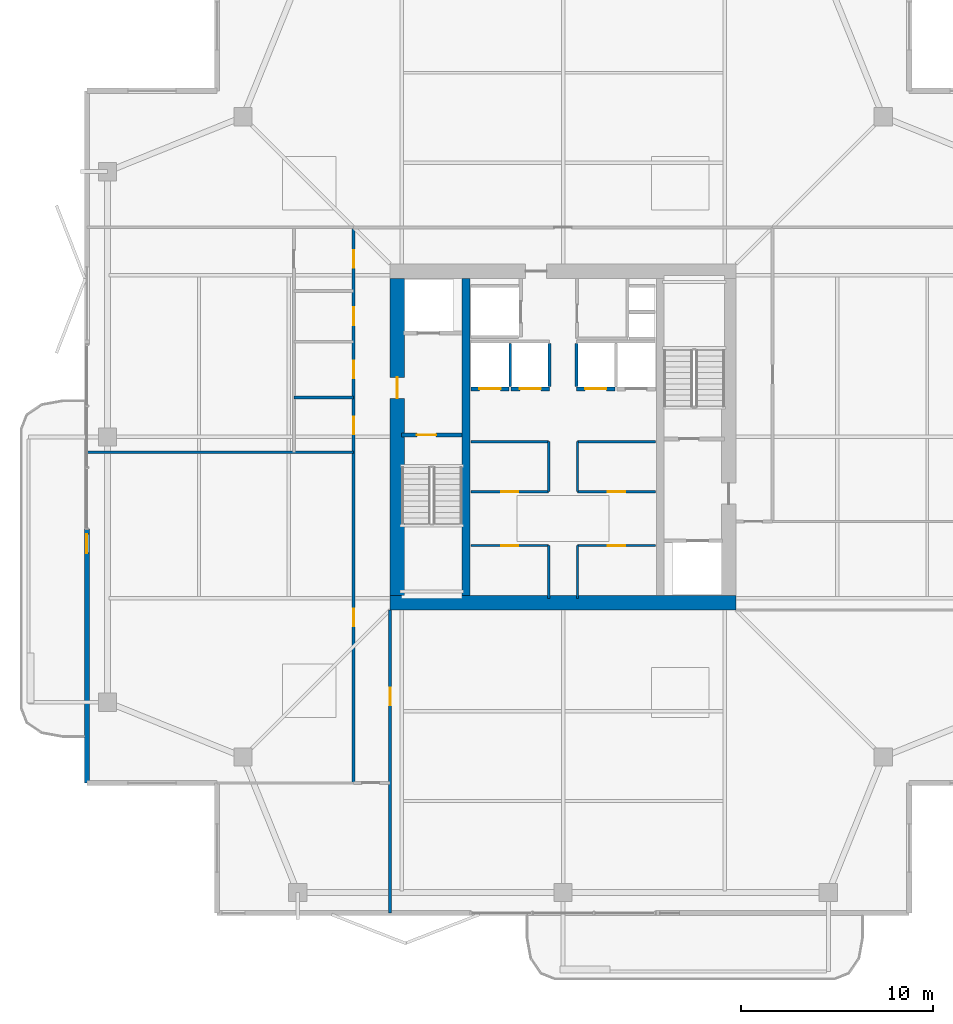
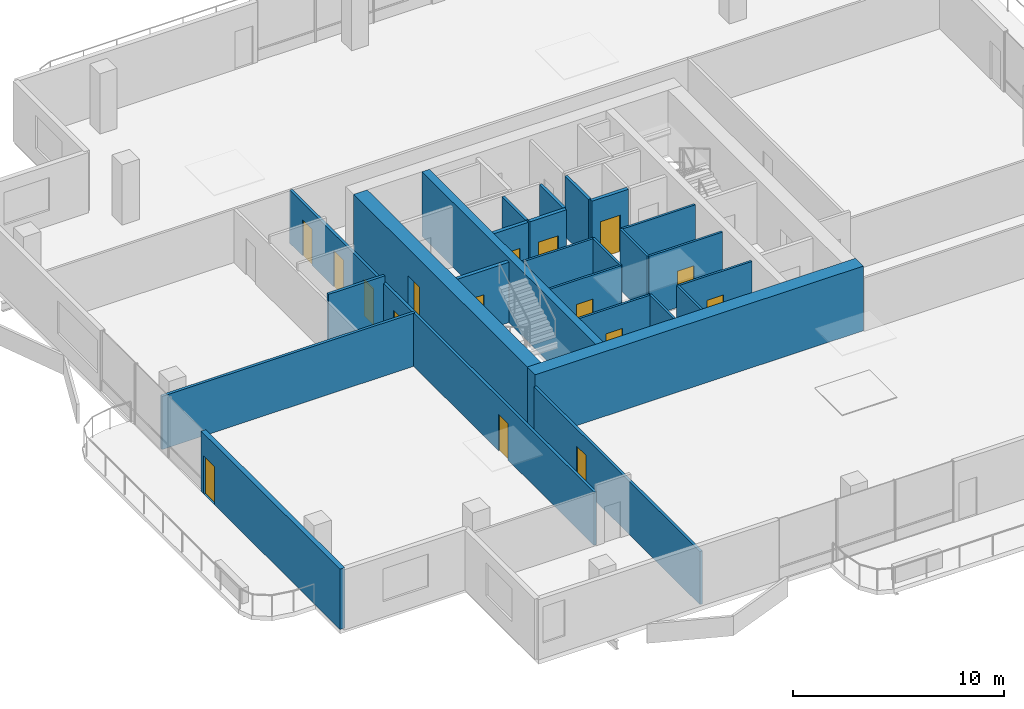
# One storey, part 18 of 24: 25 walls, 16 doors, 16 openings.
"""IFC4 building model written with IfcOpenShell, lengths in metres."""

from ifc_helpers import new_model, si_unit, direction, frame, frame_2d, origin, place, context, subcontext, project, spatial, rectangle, extrude, material, layer, layer_set, type_object, element, fill, save


model = new_model("IFC4")

# Units and contexts
model_context = context("Model", 3, precision=1e-05, world=origin(), true_north=direction((0.0, 1.0)))
body_context = subcontext(model_context, "Body", "Model", "MODEL_VIEW")
ifc_project = project(units=[si_unit("LENGTHUNIT", "METRE"), si_unit("AREAUNIT", "SQUARE_METRE"), si_unit("VOLUMEUNIT", "CUBIC_METRE"), si_unit("PLANEANGLEUNIT", "RADIAN"), si_unit("MASSUNIT", "GRAM", prefix="KILO")], contexts=[model_context])

# Site, building, storey
site_placement = place(None, origin())
site = spatial("IfcSite", under=ifc_project, at=site_placement, CompositionType="ELEMENT")
building_placement = place(site_placement, origin())
building = spatial("IfcBuilding", under=site, at=building_placement, Name="Belovzor Exchange Tower", CompositionType="ELEMENT")
storey_placement = place(building_placement, frame((0.0, 0.0, 261.60009765625)))
storey = spatial("IfcBuildingStorey", under=building, at=storey_placement, Name="L65", CompositionType="ELEMENT", Elevation=261.60009765625)

# Wall, opening, door
ifc_material_1 = material(Name="Fire-Rated Plasterboard on Galvanised Studs", Category="gypsum")
ifc_layer_1 = layer(ifc_material_1, 0.1201171875)
ifc_layer_set_1 = layer_set([ifc_layer_1], Name="Fire-Rated Plasterboard on Galvanised Studs")
wall_type_1 = type_object("IfcWallType", Name="Fire-Rated Double-Stud Partition Wall 120", PredefinedType="PARTITIONING", material=ifc_layer_set_1)
wall_1_placement = place(storey_placement, frame((24.0, 23.14990234375, 0.0), z_axis=(0.0, 0.0, 1.0), x_axis=(1.0, 0.0, 0.0)))
wall_1 = element("IfcWall", 1, at=wall_1_placement, inside=storey, type_object=wall_type_1, Name="W-P120F Partition Wall W-CRL-L65-WN", PredefinedType="PARTITIONING", context=body_context, shape_type="SweptSolid", body=[
    extrude(rectangle(XDim=4.050048828125, YDim=0.1201171875, at=frame_2d((2.02490234375, 0.0))), origin(), (0.0, 0.0, 1.0), 3.5),
])
opening_1_placement = place(wall_1_placement, frame((1.574951171875, 0.0, 0.0)))
opening_1 = element("IfcOpeningElement", 2, at=opening_1_placement, cuts=wall_1, Name="Opening D-FD60-090", PredefinedType="OPENING", context=body_context, shape_type="SweptSolid", body=[
    extrude(rectangle(XDim=0.89990234375, YDim=2.10009765625, at=frame_2d((0.449951171875, 1.050048828125))), frame((0.0, 0.070068359375, 0.0), z_axis=(0.0, -1.0, 0.0), x_axis=(1.0, 0.0, 0.0)), (0.0, 0.0, 1.0), 0.14013671875),
])
ifc_material_2 = material(Name="Acoustic Timber Fire Leaf", Category="wood")
door_type_1 = type_object("IfcDoorType", Name="Core Service & Restroom Fire Door 900x2100", OperationType="NOTDEFINED", PredefinedType="DOOR", material=ifc_material_2)
door_1_placement = place(opening_1_placement, origin())
door_1 = element("IfcDoor", 3, at=door_1_placement, inside=storey, type_object=door_type_1, Name="D-FD60-090 Core Service & Restroom Fire Door 900x2100", OperationType="SINGLE_SWING_LEFT", OverallHeight=2.10009765625, OverallWidth=0.89990234375, PredefinedType="DOOR", context=body_context, shape_type="SweptSolid", body=[
    extrude(rectangle(XDim=0.89990234375, YDim=2.10009765625, at=frame_2d((0.449951171875, 1.050048828125))), frame((0.0, 0.02490234375, 0.0), z_axis=(0.0, -1.0, 0.0), x_axis=(1.0, 0.0, 0.0)), (0.0, 0.0, 1.0), 0.050048828125),
])
fill(opening_1, door_1)

# Wall
wall_2_placement = place(storey_placement, frame((28.050048828125, 20.39990234375, 0.0), z_axis=(0.0, 0.0, 1.0), x_axis=(0.0, 1.0, 0.0)))
element("IfcWall", 4, at=wall_2_placement, inside=storey, type_object=wall_type_1, Name="W-P120F Partition Wall W-CRL-L65-WE", PredefinedType="PARTITIONING", context=body_context, shape_type="SweptSolid", body=[
    extrude(rectangle(XDim=2.75, YDim=0.1201171875, at=frame_2d((1.375, 0.0))), origin(), (0.0, 0.0, 1.0), 3.5),
])

# Wall, opening, door
wall_3_placement = place(storey_placement, frame((29.550048828125, 23.14990234375, 0.0), z_axis=(0.0, 0.0, 1.0), x_axis=(1.0, 0.0, 0.0)))
wall_3 = element("IfcWall", 5, at=wall_3_placement, inside=storey, type_object=wall_type_1, Name="W-P120F Partition Wall W-CRL-L65-EN", PredefinedType="PARTITIONING", context=body_context, shape_type="SweptSolid", body=[
    extrude(rectangle(XDim=4.050048828125, YDim=0.1201171875, at=frame_2d((2.02490234375, 0.0))), origin(), (0.0, 0.0, 1.0), 3.5),
])
opening_2_placement = place(wall_3_placement, frame((1.574951171875, 0.0, 0.0)))
opening_2 = element("IfcOpeningElement", 6, at=opening_2_placement, cuts=wall_3, Name="Opening D-FD60-090", PredefinedType="OPENING", context=body_context, shape_type="SweptSolid", body=[
    extrude(rectangle(XDim=0.89990234375, YDim=2.10009765625, at=frame_2d((0.449951171875, 1.050048828125))), frame((0.0, 0.070068359375, 0.0), z_axis=(0.0, -1.0, 0.0), x_axis=(1.0, 0.0, 0.0)), (0.0, 0.0, 1.0), 0.14013671875),
])
door_2_placement = place(opening_2_placement, origin())
door_2 = element("IfcDoor", 7, at=door_2_placement, inside=storey, type_object=door_type_1, Name="D-FD60-090 Core Service & Restroom Fire Door 900x2100", OperationType="SINGLE_SWING_RIGHT", OverallHeight=2.10009765625, OverallWidth=0.89990234375, PredefinedType="DOOR", context=body_context, shape_type="SweptSolid", body=[
    extrude(rectangle(XDim=0.89990234375, YDim=2.10009765625, at=frame_2d((0.449951171875, 1.050048828125))), frame((0.0, 0.02490234375, 0.0), z_axis=(0.0, -1.0, 0.0), x_axis=(1.0, 0.0, 0.0)), (0.0, 0.0, 1.0), 0.050048828125),
])
fill(opening_2, door_2)

# Wall
wall_4_placement = place(storey_placement, frame((29.550048828125, 20.39990234375, 0.0), z_axis=(0.0, 0.0, 1.0), x_axis=(0.0, 1.0, 0.0)))
element("IfcWall", 8, at=wall_4_placement, inside=storey, type_object=wall_type_1, Name="W-P120F Partition Wall W-CRL-L65-EW", PredefinedType="PARTITIONING", context=body_context, shape_type="SweptSolid", body=[
    extrude(rectangle(XDim=2.75, YDim=0.1201171875, at=frame_2d((1.375, 0.0))), origin(), (0.0, 0.0, 1.0), 3.5),
])

# Wall, opening, door
wall_5_placement = place(storey_placement, frame((24.0, 25.949951171875, 0.0), z_axis=(0.0, 0.0, 1.0), x_axis=(1.0, 0.0, 0.0)))
wall_5 = element("IfcWall", 9, at=wall_5_placement, inside=storey, type_object=wall_type_1, Name="W-P120F Partition Wall W-CRM-L65-WS", PredefinedType="PARTITIONING", context=body_context, shape_type="SweptSolid", body=[
    extrude(rectangle(XDim=4.050048828125, YDim=0.1201171875, at=frame_2d((2.02490234375, 0.0))), origin(), (0.0, 0.0, 1.0), 3.5),
])
opening_3_placement = place(wall_5_placement, frame((1.574951171875, 0.0, 0.0)))
opening_3 = element("IfcOpeningElement", 10, at=opening_3_placement, cuts=wall_5, Name="Opening D-FD60-090", PredefinedType="OPENING", context=body_context, shape_type="SweptSolid", body=[
    extrude(rectangle(XDim=0.89990234375, YDim=2.10009765625, at=frame_2d((0.449951171875, 1.050048828125))), frame((0.0, 0.070068359375, 0.0), z_axis=(0.0, -1.0, 0.0), x_axis=(1.0, 0.0, 0.0)), (0.0, 0.0, 1.0), 0.14013671875),
])
door_3_placement = place(opening_3_placement, origin())
door_3 = element("IfcDoor", 11, at=door_3_placement, inside=storey, type_object=door_type_1, Name="D-FD60-090 Core Service & Restroom Fire Door 900x2100", OperationType="SINGLE_SWING_LEFT", OverallHeight=2.10009765625, OverallWidth=0.89990234375, PredefinedType="DOOR", context=body_context, shape_type="SweptSolid", body=[
    extrude(rectangle(XDim=0.89990234375, YDim=2.10009765625, at=frame_2d((0.449951171875, 1.050048828125))), frame((0.0, 0.02490234375, 0.0), z_axis=(0.0, -1.0, 0.0), x_axis=(1.0, 0.0, 0.0)), (0.0, 0.0, 1.0), 0.050048828125),
])
fill(opening_3, door_3)

# Walls
wall_6_placement = place(storey_placement, frame((24.0, 28.550048828125, 0.0), z_axis=(0.0, 0.0, 1.0), x_axis=(1.0, 0.0, 0.0)))
element("IfcWall", 12, at=wall_6_placement, inside=storey, type_object=wall_type_1, Name="W-P120F Partition Wall W-CRM-L65-WN", PredefinedType="PARTITIONING", context=body_context, shape_type="SweptSolid", body=[
    extrude(rectangle(XDim=4.050048828125, YDim=0.1201171875, at=frame_2d((2.02490234375, 0.0))), origin(), (0.0, 0.0, 1.0), 3.5),
])
wall_7_placement = place(storey_placement, frame((28.050048828125, 25.949951171875, 0.0), z_axis=(0.0, 0.0, 1.0), x_axis=(0.0, 1.0, 0.0)))
element("IfcWall", 13, at=wall_7_placement, inside=storey, type_object=wall_type_1, Name="W-P120F Partition Wall W-CRM-L65-WE", PredefinedType="PARTITIONING", context=body_context, shape_type="SweptSolid", body=[
    extrude(rectangle(XDim=2.60009765625, YDim=0.1201171875, at=frame_2d((1.300048828125, 0.0))), origin(), (0.0, 0.0, 1.0), 3.5),
])

# Wall, opening, door
wall_8_placement = place(storey_placement, frame((29.550048828125, 25.949951171875, 0.0), z_axis=(0.0, 0.0, 1.0), x_axis=(1.0, 0.0, 0.0)))
wall_8 = element("IfcWall", 14, at=wall_8_placement, inside=storey, type_object=wall_type_1, Name="W-P120F Partition Wall W-CRM-L65-ES", PredefinedType="PARTITIONING", context=body_context, shape_type="SweptSolid", body=[
    extrude(rectangle(XDim=4.050048828125, YDim=0.1201171875, at=frame_2d((2.02490234375, 0.0))), origin(), (0.0, 0.0, 1.0), 3.5),
])
opening_4_placement = place(wall_8_placement, frame((1.574951171875, 0.0, 0.0)))
opening_4 = element("IfcOpeningElement", 15, at=opening_4_placement, cuts=wall_8, Name="Opening D-FD60-090", PredefinedType="OPENING", context=body_context, shape_type="SweptSolid", body=[
    extrude(rectangle(XDim=0.89990234375, YDim=2.10009765625, at=frame_2d((0.449951171875, 1.050048828125))), frame((0.0, 0.070068359375, 0.0), z_axis=(0.0, -1.0, 0.0), x_axis=(1.0, 0.0, 0.0)), (0.0, 0.0, 1.0), 0.14013671875),
])
door_4_placement = place(opening_4_placement, origin())
door_4 = element("IfcDoor", 16, at=door_4_placement, inside=storey, type_object=door_type_1, Name="D-FD60-090 Core Service & Restroom Fire Door 900x2100", OperationType="SINGLE_SWING_RIGHT", OverallHeight=2.10009765625, OverallWidth=0.89990234375, PredefinedType="DOOR", context=body_context, shape_type="SweptSolid", body=[
    extrude(rectangle(XDim=0.89990234375, YDim=2.10009765625, at=frame_2d((0.449951171875, 1.050048828125))), frame((0.0, 0.02490234375, 0.0), z_axis=(0.0, -1.0, 0.0), x_axis=(1.0, 0.0, 0.0)), (0.0, 0.0, 1.0), 0.050048828125),
])
fill(opening_4, door_4)

# Walls
wall_9_placement = place(storey_placement, frame((29.550048828125, 28.550048828125, 0.0), z_axis=(0.0, 0.0, 1.0), x_axis=(1.0, 0.0, 0.0)))
element("IfcWall", 17, at=wall_9_placement, inside=storey, type_object=wall_type_1, Name="W-P120F Partition Wall W-CRM-L65-EN", PredefinedType="PARTITIONING", context=body_context, shape_type="SweptSolid", body=[
    extrude(rectangle(XDim=4.050048828125, YDim=0.1201171875, at=frame_2d((2.02490234375, 0.0))), origin(), (0.0, 0.0, 1.0), 3.5),
])
wall_10_placement = place(storey_placement, frame((29.550048828125, 25.949951171875, 0.0), z_axis=(0.0, 0.0, 1.0), x_axis=(0.0, 1.0, 0.0)))
element("IfcWall", 18, at=wall_10_placement, inside=storey, type_object=wall_type_1, Name="W-P120F Partition Wall W-CRM-L65-EW", PredefinedType="PARTITIONING", context=body_context, shape_type="SweptSolid", body=[
    extrude(rectangle(XDim=2.60009765625, YDim=0.1201171875, at=frame_2d((1.300048828125, 0.0))), origin(), (0.0, 0.0, 1.0), 3.5),
])
ifc_material_3 = material(Name="Fire-Rated Gypsum Block and Mineral Wool", Category="gypsum")
ifc_layer_2 = layer(ifc_material_3, 0.14990234375)
ifc_layer_set_2 = layer_set([ifc_layer_2], Name="Fire-Rated Gypsum Block and Mineral Wool")
wall_type_2 = type_object("IfcWallType", Name="Fire-Rated Gypsum Block Corridor Wall 150", PredefinedType="PARTITIONING", material=ifc_layer_set_2)
wall_11_placement = place(storey_placement, frame((4.030029296875, 28.0, 0.0), z_axis=(0.0, 0.0, 1.0), x_axis=(1.0, 0.0, 0.0)))
element("IfcWall", 19, at=wall_11_placement, inside=storey, type_object=wall_type_2, Name="W-P150 Partition Wall W-L65-WCS", PredefinedType="PARTITIONING", context=body_context, shape_type="SweptSolid", body=[
    extrude(rectangle(XDim=13.869873046875, YDim=0.14990234375, at=frame_2d((6.93505859375, 0.0))), origin(), (0.0, 0.0, 1.0), 3.0849609375),
])
wall_12_placement = place(storey_placement, frame((14.800048828125, 30.85009765625, 0.0), z_axis=(0.0, 0.0, 1.0), x_axis=(1.0, 0.0, 0.0)))
element("IfcWall", 20, at=wall_12_placement, inside=storey, type_object=wall_type_2, Name="W-P150 Partition Wall W-L65-WCD1", PredefinedType="PARTITIONING", context=body_context, shape_type="SweptSolid", body=[
    extrude(rectangle(XDim=3.099853515625, YDim=0.14990234375, at=frame_2d((1.5498046875, 0.0))), origin(), (0.0, 0.0, 1.0), 3.5),
])

# Wall, opening, door
wall_13_placement = place(storey_placement, frame((19.800048828125, 4.030029296875, 0.0), z_axis=(0.0, 0.0, 1.0), x_axis=(0.0, 1.0, 0.0)))
wall_13 = element("IfcWall", 21, at=wall_13_placement, inside=storey, type_object=wall_type_2, Name="W-P150 Partition Wall W-L65-CW-E", PredefinedType="PARTITIONING", context=body_context, shape_type="SweptSolid", body=[
    extrude(rectangle(XDim=15.77001953125, YDim=0.14990234375, at=frame_2d((7.885009765625, 0.0))), origin(), (0.0, 0.0, 1.0), 3.0849609375),
])
opening_5_placement = place(wall_13_placement, frame((10.820068359375, 0.0, 0.0)))
opening_5 = element("IfcOpeningElement", 22, at=opening_5_placement, cuts=wall_13, Name="Opening D-FD60-090", PredefinedType="OPENING", context=body_context, shape_type="SweptSolid", body=[
    extrude(rectangle(XDim=0.89990234375, YDim=2.10009765625, at=frame_2d((0.449951171875, 1.050048828125))), frame((0.0, 0.0849609375, 0.0), z_axis=(0.0, -1.0, 0.0), x_axis=(1.0, 0.0, 0.0)), (0.0, 0.0, 1.0), 0.169921875),
])
door_5_placement = place(opening_5_placement, origin())
door_5 = element("IfcDoor", 23, at=door_5_placement, inside=storey, type_object=door_type_1, Name="D-FD60-090 Core Service & Restroom Fire Door 900x2100", OperationType="SINGLE_SWING_RIGHT", OverallHeight=2.10009765625, OverallWidth=0.89990234375, PredefinedType="DOOR", context=body_context, shape_type="SweptSolid", body=[
    extrude(rectangle(XDim=0.89990234375, YDim=2.10009765625, at=frame_2d((0.449951171875, 1.050048828125))), frame((0.0, 0.02490234375, 0.0), z_axis=(0.0, -1.0, 0.0), x_axis=(1.0, 0.0, 0.0)), (0.0, 0.0, 1.0), 0.050048828125),
])
fill(opening_5, door_5)

# Wall, openings, doors
wall_14_placement = place(storey_placement, frame((17.89990234375, 10.800048828125, 0.0), z_axis=(0.0, 0.0, 1.0), x_axis=(0.0, 1.0, 0.0)))
wall_14 = element("IfcWall", 24, at=wall_14_placement, inside=storey, type_object=wall_type_2, Name="W-P150 Partition Wall W-L65-CW", PredefinedType="PARTITIONING", context=body_context, shape_type="SweptSolid", body=[
    extrude(rectangle(XDim=28.89990234375, YDim=0.14990234375, at=frame_2d((14.449951171875, 0.0))), origin(), (0.0, 0.0, 1.0), 3.0849609375),
])
opening_6_placement = place(wall_14_placement, frame((8.14990234375, 0.0, 0.0)))
opening_6 = element("IfcOpeningElement", 25, at=opening_6_placement, cuts=wall_14, Name="Opening D-INT-090", PredefinedType="OPENING", context=body_context, shape_type="SweptSolid", body=[
    extrude(rectangle(XDim=0.89990234375, YDim=2.10009765625, at=frame_2d((0.449951171875, 1.050048828125))), frame((0.0, 0.0849609375, 0.0), z_axis=(0.0, -1.0, 0.0), x_axis=(1.0, 0.0, 0.0)), (0.0, 0.0, 1.0), 0.169921875),
])
opening_7_placement = place(wall_14_placement, frame((18.14990234375, 0.0, 0.0)))
opening_7 = element("IfcOpeningElement", 26, at=opening_7_placement, cuts=wall_14, Name="Opening D-FD60-090", PredefinedType="OPENING", context=body_context, shape_type="SweptSolid", body=[
    extrude(rectangle(XDim=0.89990234375, YDim=2.10009765625, at=frame_2d((0.449951171875, 1.050048828125))), frame((0.0, 0.0849609375, 0.0), z_axis=(0.0, -1.0, 0.0), x_axis=(1.0, 0.0, 0.0)), (0.0, 0.0, 1.0), 0.169921875),
])
opening_8_placement = place(wall_14_placement, frame((21.050048828125, 0.0, 0.0)))
opening_8 = element("IfcOpeningElement", 27, at=opening_8_placement, cuts=wall_14, Name="Opening D-FD60-090", PredefinedType="OPENING", context=body_context, shape_type="SweptSolid", body=[
    extrude(rectangle(XDim=0.89990234375, YDim=2.10009765625, at=frame_2d((0.449951171875, 1.050048828125))), frame((0.0, 0.0849609375, 0.0), z_axis=(0.0, -1.0, 0.0), x_axis=(1.0, 0.0, 0.0)), (0.0, 0.0, 1.0), 0.169921875),
])
opening_9_placement = place(wall_14_placement, frame((23.800048828125, 0.0, 0.0)))
opening_9 = element("IfcOpeningElement", 28, at=opening_9_placement, cuts=wall_14, Name="Opening D-FD60-095", PredefinedType="OPENING", context=body_context, shape_type="SweptSolid", body=[
    extrude(rectangle(XDim=0.949951171875, YDim=2.10009765625, at=frame_2d((0.47509765625, 1.050048828125))), frame((0.0, 0.0849609375, 0.0), z_axis=(0.0, -1.0, 0.0), x_axis=(1.0, 0.0, 0.0)), (0.0, 0.0, 1.0), 0.169921875),
])
opening_10_placement = place(wall_14_placement, frame((26.800048828125, 0.0, 0.0)))
opening_10 = element("IfcOpeningElement", 29, at=opening_10_placement, cuts=wall_14, Name="Opening D-FD60-090", PredefinedType="OPENING", context=body_context, shape_type="SweptSolid", body=[
    extrude(rectangle(XDim=0.89990234375, YDim=2.10009765625, at=frame_2d((0.449951171875, 1.050048828125))), frame((0.0, 0.0849609375, 0.0), z_axis=(0.0, -1.0, 0.0), x_axis=(1.0, 0.0, 0.0)), (0.0, 0.0, 1.0), 0.169921875),
])
ifc_material_4 = material(Name="Moisture-Resistant Timber Fire Leaf", Category="wood")
door_type_2 = type_object("IfcDoorType", Name="Accessible Restroom Wide Fire Door 950x2100", OperationType="NOTDEFINED", PredefinedType="DOOR", material=ifc_material_4)
door_6_placement = place(opening_9_placement, origin())
door_6 = element("IfcDoor", 30, at=door_6_placement, inside=storey, type_object=door_type_2, Name="D-FD60-095 Accessible Restroom Wide Fire Door 950x2100", OperationType="SINGLE_SWING_LEFT", OverallHeight=2.10009765625, OverallWidth=0.949951171875, PredefinedType="DOOR", context=body_context, shape_type="SweptSolid", body=[
    extrude(rectangle(XDim=0.949951171875, YDim=2.10009765625, at=frame_2d((0.47509765625, 1.050048828125))), frame((0.0, 0.02490234375, 0.0), z_axis=(0.0, -1.0, 0.0), x_axis=(1.0, 0.0, 0.0)), (0.0, 0.0, 1.0), 0.050048828125),
])
fill(opening_9, door_6)
door_7_placement = place(opening_7_placement, origin())
door_7 = element("IfcDoor", 31, at=door_7_placement, inside=storey, type_object=door_type_1, Name="D-FD60-090 Core Service & Restroom Fire Door 900x2100", OperationType="SINGLE_SWING_LEFT", OverallHeight=2.10009765625, OverallWidth=0.89990234375, PredefinedType="DOOR", context=body_context, shape_type="SweptSolid", body=[
    extrude(rectangle(XDim=0.89990234375, YDim=2.10009765625, at=frame_2d((0.449951171875, 1.050048828125))), frame((0.0, 0.02490234375, 0.0), z_axis=(0.0, -1.0, 0.0), x_axis=(1.0, 0.0, 0.0)), (0.0, 0.0, 1.0), 0.050048828125),
])
fill(opening_7, door_7)
door_8_placement = place(opening_8_placement, origin())
door_8 = element("IfcDoor", 32, at=door_8_placement, inside=storey, type_object=door_type_1, Name="D-FD60-090 Core Service & Restroom Fire Door 900x2100", OperationType="SINGLE_SWING_RIGHT", OverallHeight=2.10009765625, OverallWidth=0.89990234375, PredefinedType="DOOR", context=body_context, shape_type="SweptSolid", body=[
    extrude(rectangle(XDim=0.89990234375, YDim=2.10009765625, at=frame_2d((0.449951171875, 1.050048828125))), frame((0.0, 0.02490234375, 0.0), z_axis=(0.0, -1.0, 0.0), x_axis=(1.0, 0.0, 0.0)), (0.0, 0.0, 1.0), 0.050048828125),
])
fill(opening_8, door_8)
door_9_placement = place(opening_10_placement, origin())
door_9 = element("IfcDoor", 33, at=door_9_placement, inside=storey, type_object=door_type_1, Name="D-FD60-090 Core Service & Restroom Fire Door 900x2100", OperationType="SINGLE_SWING_LEFT", OverallHeight=2.10009765625, OverallWidth=0.89990234375, PredefinedType="DOOR", context=body_context, shape_type="SweptSolid", body=[
    extrude(rectangle(XDim=0.89990234375, YDim=2.10009765625, at=frame_2d((0.449951171875, 1.050048828125))), frame((0.0, 0.02490234375, 0.0), z_axis=(0.0, -1.0, 0.0), x_axis=(1.0, 0.0, 0.0)), (0.0, 0.0, 1.0), 0.050048828125),
])
fill(opening_10, door_9)
ifc_material_5 = material(Name="Veneered Hardwood Acoustic Leaf", Category="wood")
door_type_3 = type_object("IfcDoorType", Name="Trading Suite Acoustic Single Door 900x2100", OperationType="NOTDEFINED", PredefinedType="DOOR", material=ifc_material_5)
door_10_placement = place(opening_6_placement, origin())
door_10 = element("IfcDoor", 34, at=door_10_placement, inside=storey, type_object=door_type_3, Name="D-INT-090 Trading Suite Acoustic Single Door 900x2100", OperationType="SINGLE_SWING_RIGHT", OverallHeight=2.10009765625, OverallWidth=0.89990234375, PredefinedType="DOOR", context=body_context, shape_type="SweptSolid", body=[
    extrude(rectangle(XDim=0.89990234375, YDim=2.10009765625, at=frame_2d((0.449951171875, 1.050048828125))), frame((0.0, 0.02490234375, 0.0), z_axis=(0.0, -1.0, 0.0), x_axis=(1.0, 0.0, 0.0)), (0.0, 0.0, 1.0), 0.050048828125),
])
fill(opening_6, door_10)

# Wall, opening, door
ifc_material_6 = material(Name="Precast concrete C40/50", Category="concrete")
ifc_layer_3 = layer(ifc_material_6, 0.260009765625)
ifc_layer_set_3 = layer_set([ifc_layer_3], Name="Precast concrete C40/50")
wall_type_3 = type_object("IfcWallType", Name="Precast Concrete Perimeter Loggia Frame Wall 260", PredefinedType="SOLIDWALL", material=ifc_layer_set_3)
wall_15_placement = place(storey_placement, frame((4.030029296875, 10.800048828125, 0.0), z_axis=(0.0, 0.0, 1.0), x_axis=(0.0, 1.0, 0.0)))
wall_15 = element("IfcWall", 35, at=wall_15_placement, inside=storey, type_object=wall_type_3, Name="W-EXT260 Precast Concrete Perimeter Loggia Frame Wall 260 L65", PredefinedType="SOLIDWALL", context=body_context, shape_type="SweptSolid", body=[
    extrude(rectangle(XDim=13.199951171875, YDim=0.260009765625, at=frame_2d((6.60009765625, 0.0))), origin(), (0.0, 0.0, 1.0), 3.5),
])
opening_11_placement = place(wall_15_placement, frame((11.949951171875, 0.0, 0.0)))
opening_11 = element("IfcOpeningElement", 36, at=opening_11_placement, cuts=wall_15, Name="Opening D-BAL100", PredefinedType="OPENING", context=body_context, shape_type="SweptSolid", body=[
    extrude(rectangle(XDim=1.0, YDim=2.199951171875, at=frame_2d((0.5, 1.10009765625))), frame((0.0, 0.139892578125, 0.0), z_axis=(0.0, -1.0, 0.0), x_axis=(1.0, 0.0, 0.0)), (0.0, 0.0, 1.0), 0.280029296875),
])
ifc_material_7 = material(Name="Thermally Broken Anodised Aluminium and Laminated Glass", Category="aluminium")
door_type_4 = type_object("IfcDoorType", Name="Planted Loggia Terrace Glazed Door 1000x2200", OperationType="SINGLE_SWING_LEFT", PredefinedType="DOOR", material=ifc_material_7)
door_11_placement = place(opening_11_placement, origin())
door_11 = element("IfcDoor", 37, at=door_11_placement, inside=storey, type_object=door_type_4, Name="D-BAL100 Balcony Terrace Door L65 W", OperationType="SINGLE_SWING_RIGHT", OverallHeight=2.199951171875, OverallWidth=1.0, PredefinedType="DOOR", context=body_context, shape_type="SweptSolid", body=[
    extrude(rectangle(XDim=1.0, YDim=2.199951171875, at=frame_2d((0.5, 1.10009765625))), frame((0.0, 0.02490234375, 0.0), z_axis=(0.0, -1.0, 0.0), x_axis=(1.0, 0.0, 0.0)), (0.0, 0.0, 1.0), 0.050048828125),
])
fill(opening_11, door_11)

# Walls
ifc_material_8 = material(Name="Concrete C50/60", Category="concrete")
ifc_layer_4 = layer(ifc_material_8, 0.39990234375)
ifc_layer_set_4 = layer_set([ifc_layer_4], Name="Concrete C50/60")
wall_type_4 = type_object("IfcWallType", Name="Reinforced Concrete Core Internal Web Wall 400", PredefinedType="SHEAR", material=ifc_layer_set_4)
wall_16_placement = place(storey_placement, frame((23.75, 20.550048828125, 0.0), z_axis=(0.0, 0.0, 1.0), x_axis=(0.0, 1.0, 0.0)))
element("IfcWall", 38, at=wall_16_placement, inside=storey, type_object=wall_type_4, Name="CW-W040 Core Internal Web Wall L65 WL", PredefinedType="SHEAR", context=body_context, shape_type="SweptSolid", body=[
    extrude(rectangle(XDim=16.5, YDim=0.39990234375, at=frame_2d((8.25, 0.0))), origin(), (0.0, 0.0, 1.0), 3.75),
])
ifc_material_9 = material(Name="Concrete C50/60", Category="concrete")
ifc_layer_5 = layer(ifc_material_9, 0.14990234375)
ifc_layer_set_5 = layer_set([ifc_layer_5], Name="Concrete C50/60")
wall_type_5 = type_object("IfcWallType", Name="Reinforced Concrete Core Riser Shear Wall 150", PredefinedType="SHEAR", material=ifc_layer_set_5)
for number, where, z_axis, x_axis, name in (
    (39, (26.050048828125, 31.419921875, 0.0), (0.0, 0.0, 1.0), (0.0, 1.0, 0.0), "W-C150S Core Shaft Wall W-SHD-L65-PLH-1"),
    (40, (28.10009765625, 31.419921875, 0.0), (0.0, 0.0, 1.0), (0.0, 1.0, 0.0), "W-C150S Core Shaft Wall W-SHD-L65-PLH-2"),
    (41, (29.5, 31.419921875, 0.0), (0.0, 0.0, 1.0), (0.0, 1.0, 0.0), "W-C150S Core Shaft Wall W-SHD-L65-PLH-3"),
):
    element("IfcWall", number, at=place(storey_placement, frame(where, z_axis=z_axis, x_axis=x_axis)), inside=storey, type_object=wall_type_5, Name=name, PredefinedType="SHEAR", context=body_context, shape_type="SweptSolid", body=[
        extrude(rectangle(XDim=2.239990234375, YDim=0.14990234375, at=frame_2d((1.1201171875, 0.0))), origin(), (0.0, 0.0, 1.0), 3.5),
    ])

# Wall, opening, door
ifc_material_10 = material(Name="Concrete C50/60", Category="concrete")
ifc_layer_6 = layer(ifc_material_10, 0.199951171875)
ifc_layer_set_6 = layer_set([ifc_layer_6], Name="Concrete C50/60")
wall_type_6 = type_object("IfcWallType", Name="Reinforced Concrete Core Shaft Shear Wall 200", PredefinedType="SHEAR", material=ifc_layer_set_6)
wall_17_placement = place(storey_placement, frame((20.39990234375, 28.89990234375, 0.0), z_axis=(0.0, 0.0, 1.0), x_axis=(1.0, 0.0, 0.0)))
wall_17 = element("IfcWall", 42, at=wall_17_placement, inside=storey, type_object=wall_type_6, Name="W-C200S Core Shaft Wall W-CORE-L65-FFLW1", PredefinedType="SHEAR", context=body_context, shape_type="SweptSolid", body=[
    extrude(rectangle(XDim=3.150146484375, YDim=0.199951171875, at=frame_2d((1.5751953125, 0.0))), origin(), (0.0, 0.0, 1.0), 3.5),
])
opening_12_placement = place(wall_17_placement, frame((0.800048828125, 0.0, 0.0)))
opening_12 = element("IfcOpeningElement", 43, at=opening_12_placement, cuts=wall_17, Name="Opening D-FD90-100", PredefinedType="OPENING", context=body_context, shape_type="SweptSolid", body=[
    extrude(rectangle(XDim=1.0, YDim=2.10009765625, at=frame_2d((0.5, 1.050048828125))), frame((0.0, 0.10986328125, 0.0), z_axis=(0.0, -1.0, 0.0), x_axis=(1.0, 0.0, 0.0)), (0.0, 0.0, 1.0), 0.219970703125),
])
ifc_material_11 = material(Name="Fire-Rated Galvanised Steel Leaf", Category="steel")
door_type_5 = type_object("IfcDoorType", Name="Protected Stairwell Single Fire Door 1000x2100", OperationType="NOTDEFINED", PredefinedType="DOOR", material=ifc_material_11)
door_12_placement = place(opening_12_placement, origin())
door_12 = element("IfcDoor", 44, at=door_12_placement, inside=storey, type_object=door_type_5, Name="D-FD90-100 Protected Stairwell Single Fire Door 1000x2100", OperationType="SINGLE_SWING_RIGHT", OverallHeight=2.10009765625, OverallWidth=1.0, PredefinedType="DOOR", context=body_context, shape_type="SweptSolid", body=[
    extrude(rectangle(XDim=1.0, YDim=2.10009765625, at=frame_2d((0.5, 1.050048828125))), frame((0.0, 0.02490234375, 0.0), z_axis=(0.0, -1.0, 0.0), x_axis=(1.0, 0.0, 0.0)), (0.0, 0.0, 1.0), 0.050048828125),
])
fill(opening_12, door_12)

wall_18_placement = place(storey_placement, frame((24.0, 31.300048828125, 0.0), z_axis=(0.0, 0.0, 1.0), x_axis=(1.0, 0.0, 0.0)))
wall_18 = element("IfcWall", 45, at=wall_18_placement, inside=storey, type_object=wall_type_6, Name="W-C200S Core Shaft Wall W-SH-L65-PL-H1", PredefinedType="SHEAR", context=body_context, shape_type="SweptSolid", body=[
    extrude(rectangle(XDim=2.0, YDim=0.199951171875, at=frame_2d((1.0, 0.0))), origin(), (0.0, 0.0, 1.0), 3.5),
])
opening_13_placement = place(wall_18_placement, frame((0.449951171875, 0.0, 0.0)))
opening_13 = element("IfcOpeningElement", 46, at=opening_13_placement, cuts=wall_18, Name="Opening LD-110", PredefinedType="OPENING", context=body_context, shape_type="SweptSolid", body=[
    extrude(rectangle(XDim=1.10009765625, YDim=2.14990234375, at=frame_2d((0.550048828125, 1.074951171875))), frame((0.0, 0.10986328125, 0.0), z_axis=(0.0, -1.0, 0.0), x_axis=(1.0, 0.0, 0.0)), (0.0, 0.0, 1.0), 0.219970703125),
])
ifc_material_12 = material(Name="Stainless Steel Grade 304", Category="steel")
door_type_6 = type_object("IfcDoorType", Name="Automated Stainless Steel Lift Landing Door 1100x2150", OperationType="SLIDING_TO_RIGHT", PredefinedType="DOOR", material=ifc_material_12)
door_13_placement = place(opening_13_placement, origin())
door_13 = element("IfcDoor", 47, at=door_13_placement, inside=storey, type_object=door_type_6, Name="LD-110 Automated Stainless Steel Lift Landing Door 1100x2150", OperationType="SLIDING_TO_RIGHT", OverallHeight=2.14990234375, OverallWidth=1.10009765625, PredefinedType="DOOR", context=body_context, shape_type="SweptSolid", body=[
    extrude(rectangle(XDim=1.10009765625, YDim=2.14990234375, at=frame_2d((0.550048828125, 1.074951171875))), frame((0.0, 0.02490234375, 0.0), z_axis=(0.0, -1.0, 0.0), x_axis=(1.0, 0.0, 0.0)), (0.0, 0.0, 1.0), 0.050048828125),
])
fill(opening_13, door_13)

wall_19_placement = place(storey_placement, frame((26.10009765625, 31.300048828125, 0.0), z_axis=(0.0, 0.0, 1.0), x_axis=(1.0, 0.0, 0.0)))
wall_19 = element("IfcWall", 48, at=wall_19_placement, inside=storey, type_object=wall_type_6, Name="W-C200S Core Shaft Wall W-SH-L65-PL-H2", PredefinedType="SHEAR", context=body_context, shape_type="SweptSolid", body=[
    extrude(rectangle(XDim=2.0, YDim=0.199951171875, at=frame_2d((1.0, 0.0))), origin(), (0.0, 0.0, 1.0), 3.5),
])
opening_14_placement = place(wall_19_placement, frame((0.449951171875, 0.0, 0.0)))
opening_14 = element("IfcOpeningElement", 49, at=opening_14_placement, cuts=wall_19, Name="Opening LD-110", PredefinedType="OPENING", context=body_context, shape_type="SweptSolid", body=[
    extrude(rectangle(XDim=1.10009765625, YDim=2.14990234375, at=frame_2d((0.550048828125, 1.074951171875))), frame((0.0, 0.10986328125, 0.0), z_axis=(0.0, -1.0, 0.0), x_axis=(1.0, 0.0, 0.0)), (0.0, 0.0, 1.0), 0.219970703125),
])
door_14_placement = place(opening_14_placement, origin())
door_14 = element("IfcDoor", 50, at=door_14_placement, inside=storey, type_object=door_type_6, Name="LD-110 Automated Stainless Steel Lift Landing Door 1100x2150", OperationType="SLIDING_TO_RIGHT", OverallHeight=2.14990234375, OverallWidth=1.10009765625, PredefinedType="DOOR", context=body_context, shape_type="SweptSolid", body=[
    extrude(rectangle(XDim=1.10009765625, YDim=2.14990234375, at=frame_2d((0.550048828125, 1.074951171875))), frame((0.0, 0.02490234375, 0.0), z_axis=(0.0, -1.0, 0.0), x_axis=(1.0, 0.0, 0.0)), (0.0, 0.0, 1.0), 0.050048828125),
])
fill(opening_14, door_14)

wall_20_placement = place(storey_placement, frame((29.5, 31.300048828125, 0.0), z_axis=(0.0, 0.0, 1.0), x_axis=(1.0, 0.0, 0.0)))
wall_20 = element("IfcWall", 51, at=wall_20_placement, inside=storey, type_object=wall_type_6, Name="W-C200S Core Shaft Wall W-SH-L65-PL-H3", PredefinedType="SHEAR", context=body_context, shape_type="SweptSolid", body=[
    extrude(rectangle(XDim=2.0, YDim=0.199951171875, at=frame_2d((1.0, 0.0))), origin(), (0.0, 0.0, 1.0), 3.5),
])
opening_15_placement = place(wall_20_placement, frame((0.449951171875, 0.0, 0.0)))
opening_15 = element("IfcOpeningElement", 52, at=opening_15_placement, cuts=wall_20, Name="Opening LD-110", PredefinedType="OPENING", context=body_context, shape_type="SweptSolid", body=[
    extrude(rectangle(XDim=1.10009765625, YDim=2.14990234375, at=frame_2d((0.550048828125, 1.074951171875))), frame((0.0, 0.10986328125, 0.0), z_axis=(0.0, -1.0, 0.0), x_axis=(1.0, 0.0, 0.0)), (0.0, 0.0, 1.0), 0.219970703125),
])
door_15_placement = place(opening_15_placement, origin())
door_15 = element("IfcDoor", 53, at=door_15_placement, inside=storey, type_object=door_type_6, Name="LD-110 Automated Stainless Steel Lift Landing Door 1100x2150", OperationType="SLIDING_TO_RIGHT", OverallHeight=2.14990234375, OverallWidth=1.10009765625, PredefinedType="DOOR", context=body_context, shape_type="SweptSolid", body=[
    extrude(rectangle(XDim=1.10009765625, YDim=2.14990234375, at=frame_2d((0.550048828125, 1.074951171875))), frame((0.0, 0.02490234375, 0.0), z_axis=(0.0, -1.0, 0.0), x_axis=(1.0, 0.0, 0.0)), (0.0, 0.0, 1.0), 0.050048828125),
])
fill(opening_15, door_15)

# Wall
ifc_material_13 = material(Name="Concrete C50/60", Category="concrete")
ifc_layer_7 = layer(ifc_material_13, 0.75)
ifc_layer_set_7 = layer_set([ifc_layer_7], Name="Concrete C50/60")
wall_type_7 = type_object("IfcWallType", Name="Reinforced Concrete Core Shear Wall 750", PredefinedType="SHEAR", material=ifc_layer_set_7)
wall_21_placement = place(storey_placement, frame((19.800048828125, 20.175048828125, 0.0), z_axis=(0.0, 0.0, 1.0), x_axis=(1.0, 0.0, 0.0)))
element("IfcWall", 54, at=wall_21_placement, inside=storey, type_object=wall_type_7, Name="CW-S075 Core Shear Wall L65 S", PredefinedType="SHEAR", context=body_context, shape_type="SweptSolid", body=[
    extrude(rectangle(XDim=18.0, YDim=0.75, at=frame_2d((9.0, 0.0))), origin(), (0.0, 0.0, 1.0), 3.75),
])

# Wall, opening, door
wall_22_placement = place(storey_placement, frame((20.175048828125, 20.550048828125, 0.0), z_axis=(0.0, 0.0, 1.0), x_axis=(0.0, 1.0, 0.0)))
wall_22 = element("IfcWall", 55, at=wall_22_placement, inside=storey, type_object=wall_type_7, Name="CW-S075 Core Shear Wall L65 W", PredefinedType="SHEAR", context=body_context, shape_type="SweptSolid", body=[
    extrude(rectangle(XDim=16.5, YDim=0.75, at=frame_2d((8.25, 0.0))), origin(), (0.0, 0.0, 1.0), 3.75),
])
opening_16_placement = place(wall_22_placement, frame((10.25, 0.0, 0.0)))
opening_16 = element("IfcOpeningElement", 56, at=opening_16_placement, cuts=wall_22, Name="Opening D-FD90-110", PredefinedType="OPENING", context=body_context, shape_type="SweptSolid", body=[
    extrude(rectangle(XDim=1.10009765625, YDim=2.14990234375, at=frame_2d((0.550048828125, 1.074951171875))), frame((0.0, 0.385009765625, 0.0), z_axis=(0.0, -1.0, 0.0), x_axis=(1.0, 0.0, 0.0)), (0.0, 0.0, 1.0), 0.77001953125),
])
ifc_material_14 = material(Name="Fire-Rated Galvanised Steel Leaf", Category="steel")
door_type_7 = type_object("IfcDoorType", Name="Protected Escape Vestibule Fire Door 1100x2150", OperationType="NOTDEFINED", PredefinedType="DOOR", material=ifc_material_14)
door_16_placement = place(opening_16_placement, origin())
door_16 = element("IfcDoor", 57, at=door_16_placement, inside=storey, type_object=door_type_7, Name="D-FD90-110 Protected Escape Vestibule Fire Door 1100x2150", OperationType="SINGLE_SWING_LEFT", OverallHeight=2.14990234375, OverallWidth=1.10009765625, PredefinedType="DOOR", context=body_context, shape_type="SweptSolid", body=[
    extrude(rectangle(XDim=1.10009765625, YDim=2.14990234375, at=frame_2d((0.550048828125, 1.074951171875))), frame((0.0, 0.02490234375, 0.0), z_axis=(0.0, -1.0, 0.0), x_axis=(1.0, 0.0, 0.0)), (0.0, 0.0, 1.0), 0.050048828125),
])
fill(opening_16, door_16)

save(model, "model.ifc")
